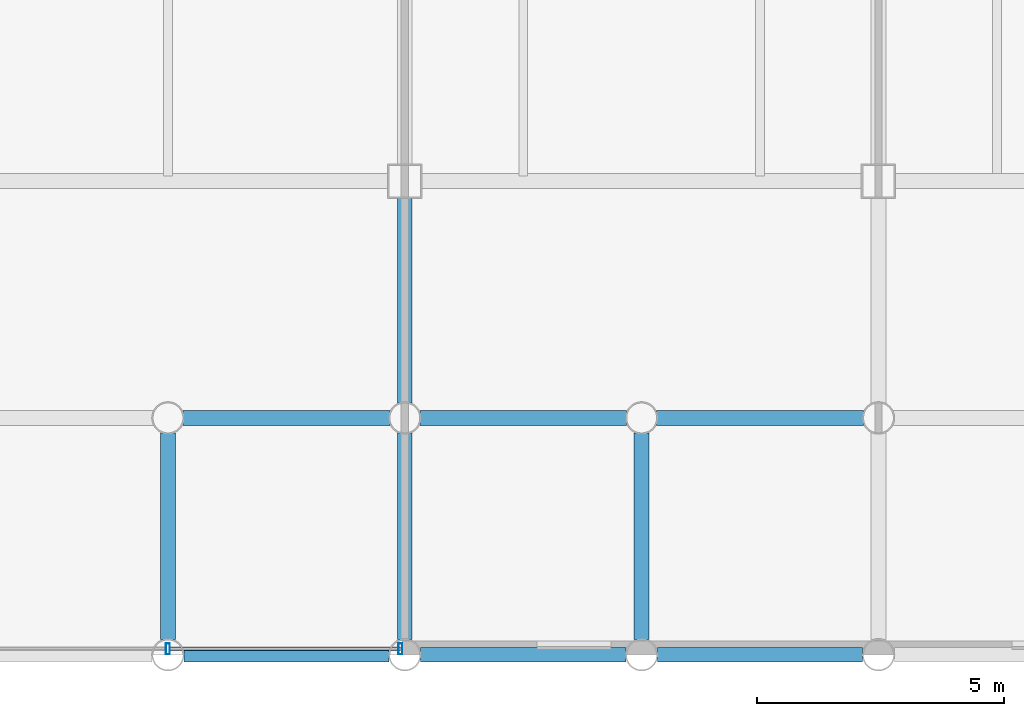
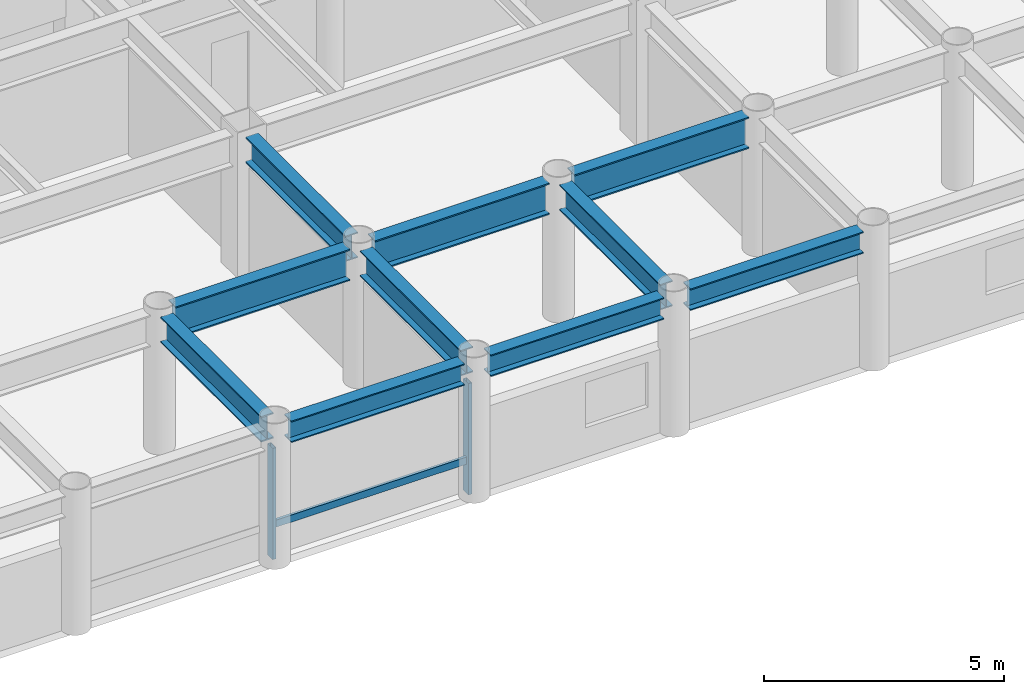
# One storey, part 6 of 19: 10 beams, 3 members, 1 element without a shape of its own.
"""IFC4 building model written with IfcOpenShell, lengths in metres."""

from ifc_helpers import new_model, si_unit, direction, frame, origin, origin_2d, place, context, subcontext, project, spatial, hollow_rectangle, i_section, extrude, material, layer, layer_set, material_profile, profile_set, type_object, element, aggregate, save


model = new_model("IFC4")

# Units and contexts
model_context = context("Model", 3, precision=1e-05, world=origin(), true_north=direction((0.0, 1.0)))
body_context = subcontext(model_context, "Body", "Model", "MODEL_VIEW")
ifc_project = project(units=[si_unit("LENGTHUNIT", "METRE"), si_unit("AREAUNIT", "SQUARE_METRE"), si_unit("VOLUMEUNIT", "CUBIC_METRE"), si_unit("PLANEANGLEUNIT", "RADIAN"), si_unit("MASSUNIT", "GRAM", prefix="KILO")], contexts=[model_context])

# Site, building, storey
site_placement = place(None, origin())
site = spatial("IfcSite", under=ifc_project, at=site_placement, CompositionType="ELEMENT")
building_placement = place(site_placement, origin())
building = spatial("IfcBuilding", under=site, at=building_placement, Name="Kallvorn Hotel Tower", CompositionType="ELEMENT")
storey_placement = place(building_placement, frame((0.0, 0.0, 169.199951171875)))
storey = spatial("IfcBuildingStorey", under=building, at=storey_placement, Name="L42", CompositionType="ELEMENT", Elevation=169.199951171875)

# Beams
ifc_material_1 = material(Name="Structural steel S355JR", Category="steel")
ifc_material_profile_1 = material_profile(ifc_material_1, i_section(OverallWidth=0.300048828125, OverallDepth=0.550048828125, WebThickness=0.014892578125, FlangeThickness=0.029052734375, at=origin_2d()), Name="HE 550 B")
ifc_profile_set_1 = profile_set([ifc_material_profile_1], Name="Structural steel S355JR")
beam_type_1 = type_object("IfcBeamType", Name="BM_HE550B", PredefinedType="SPANDREL", material=ifc_profile_set_1)
for number, where, z_axis, x_axis, name in (
    (1, (0.320068359375, -24.0, 3.2451171875), (1.0, 0.0, 0.0), (0.0, 1.0, 0.0), "L43 Perimeter Spandrel 157"),
    (2, (5.1201171875, -24.0, 3.2451171875), (1.0, 0.0, 0.0), (0.0, 1.0, 0.0), "L43 Perimeter Spandrel 158"),
):
    element("IfcBeam", number, at=place(storey_placement, frame(where, z_axis=z_axis, x_axis=x_axis)), inside=storey, type_object=beam_type_1, Name=name, PredefinedType="SPANDREL", context=body_context, shape_type="SweptSolid", body=[
        extrude(i_section(OverallWidth=0.300048828125, OverallDepth=0.550048828125, WebThickness=0.014892578125, FlangeThickness=0.029052734375, at=origin_2d()), origin(), (0.0, 0.0, 1.0), 4.159912109375),
    ])
beam_1_placement = place(storey_placement, frame((9.919921875, -24.0, 3.2451171875), z_axis=(1.0, 0.0, 0.0), x_axis=(0.0, 1.0, 0.0)))
element("IfcBeam", 3, at=beam_1_placement, inside=storey, type_object=beam_type_1, Name="L43 Perimeter Spandrel 159", PredefinedType="SPANDREL", context=body_context, shape_type="SweptSolid", body=[
    extrude(i_section(OverallWidth=0.300048828125, OverallDepth=0.550048828125, WebThickness=0.014892578125, FlangeThickness=0.029052734375, at=origin_2d()), origin(), (0.0, 0.0, 1.0), 4.16015625),
])
ifc_material_2 = material(Name="Structural steel S355JR", Category="steel")
ifc_material_profile_2 = material_profile(ifc_material_2, i_section(OverallWidth=0.300048828125, OverallDepth=0.64990234375, WebThickness=0.01611328125, FlangeThickness=0.031005859375, at=origin_2d()), Name="HE 650 B")
ifc_profile_set_2 = profile_set([ifc_material_profile_2], Name="Structural steel S355JR")
beam_type_2 = type_object("IfcBeamType", Name="BM_HE650B", PredefinedType="BEAM", material=ifc_profile_set_2)
for number, where, z_axis, x_axis, name in (
    (4, (0.0, -23.695068359375, 3.195068359375), (0.0, 1.0, 0.0), (-1.0, 0.0, 0.0), "L43 Primary Y-Girder 111"),
    (5, (4.800048828125, -23.695068359375, 3.195068359375), (0.0, 1.0, 0.0), (-1.0, 0.0, 0.0), "L43 Primary Y-Girder 114"),
):
    element("IfcBeam", number, at=place(storey_placement, frame(where, z_axis=z_axis, x_axis=x_axis)), inside=storey, type_object=beam_type_2, Name=name, PredefinedType="BEAM", context=body_context, shape_type="SweptSolid", body=[
        extrude(i_section(OverallWidth=0.300048828125, OverallDepth=0.64990234375, WebThickness=0.01611328125, FlangeThickness=0.031005859375, at=origin_2d()), origin(), (0.0, 0.0, 1.0), 4.190185546875),
    ])
beam_2_placement = place(storey_placement, frame((4.800048828125, -18.89501953125, 3.195068359375), z_axis=(0.0, 1.0, 0.0), x_axis=(-1.0, 0.0, 0.0)))
element("IfcBeam", 6, at=beam_2_placement, inside=storey, type_object=beam_type_2, Name="L43 Primary Y-Girder 115", PredefinedType="BEAM", context=body_context, shape_type="SweptSolid", body=[
    extrude(i_section(OverallWidth=0.300048828125, OverallDepth=0.64990234375, WebThickness=0.01611328125, FlangeThickness=0.031005859375, at=origin_2d()), origin(), (0.0, 0.0, 1.0), 4.169921875),
])
beam_3_placement = place(storey_placement, frame((9.60009765625, -23.695068359375, 3.195068359375), z_axis=(0.0, 1.0, 0.0), x_axis=(-1.0, 0.0, 0.0)))
element("IfcBeam", 7, at=beam_3_placement, inside=storey, type_object=beam_type_2, Name="L43 Primary Y-Girder 119", PredefinedType="BEAM", context=body_context, shape_type="SweptSolid", body=[
    extrude(i_section(OverallWidth=0.300048828125, OverallDepth=0.64990234375, WebThickness=0.01611328125, FlangeThickness=0.031005859375, at=origin_2d()), origin(), (0.0, 0.0, 1.0), 4.190185546875),
])
ifc_material_3 = material(Name="Structural steel S355JR", Category="steel")
ifc_material_profile_3 = material_profile(ifc_material_3, i_section(OverallWidth=0.300048828125, OverallDepth=0.800048828125, WebThickness=0.017578125, FlangeThickness=0.032958984375, at=origin_2d()), Name="HE 800 B")
ifc_profile_set_3 = profile_set([ifc_material_profile_3], Name="Structural steel S355JR")
beam_type_3 = type_object("IfcBeamType", Name="BM_HE800B", PredefinedType="BEAM", material=ifc_profile_set_3)
beam_4_placement = place(storey_placement, frame((0.304931640625, -19.199951171875, 3.1201171875), z_axis=(1.0, 0.0, 0.0), x_axis=(0.0, 1.0, 0.0)))
element("IfcBeam", 8, at=beam_4_placement, inside=storey, type_object=beam_type_3, Name="L43 Primary X-Girder 08", PredefinedType="BEAM", context=body_context, shape_type="SweptSolid", body=[
    extrude(i_section(OverallWidth=0.300048828125, OverallDepth=0.800048828125, WebThickness=0.017578125, FlangeThickness=0.032958984375, at=origin_2d()), origin(), (0.0, 0.0, 1.0), 4.190185546875),
])
for number, where, z_axis, x_axis, name in (
    (9, (5.10498046875, -19.199951171875, 3.1201171875), (1.0, 0.0, 0.0), (0.0, 1.0, 0.0), "L43 Primary X-Girder 09"),
    (10, (9.905029296875, -19.199951171875, 3.1201171875), (1.0, 0.0, 0.0), (0.0, 1.0, 0.0), "L43 Primary X-Girder 10"),
):
    element("IfcBeam", number, at=place(storey_placement, frame(where, z_axis=z_axis, x_axis=x_axis)), inside=storey, type_object=beam_type_3, Name=name, PredefinedType="BEAM", context=body_context, shape_type="SweptSolid", body=[
        extrude(i_section(OverallWidth=0.300048828125, OverallDepth=0.800048828125, WebThickness=0.017578125, FlangeThickness=0.032958984375, at=origin_2d()), origin(), (0.0, 0.0, 1.0), 4.18994140625),
    ])

# Curtain wall, members
ifc_material_4 = material(Name="Thermally broken black-anodised aluminium AA 6063-T6", Category="aluminium")
ifc_layer = layer(ifc_material_4, 0.2099609375)
ifc_layer_set = layer_set([ifc_layer], Name="CW_SYS_4_HOTEL_MID")
curtain_wall_type = type_object("IfcCurtainWallType", Name="CW_SYS_4_HOTEL_MID", PredefinedType="USERDEFINED", material=ifc_layer_set)
curtain_wall_placement = place(storey_placement, origin())
curtain_wall = element("IfcCurtainWall", 11, at=curtain_wall_placement, inside=storey, type_object=curtain_wall_type, Name="L42 Dark-Glass Curtain Wall CW-L42-SC", ObjectType="UNITISED CURTAIN WALL", PredefinedType="USERDEFINED")
ifc_material_5 = material(Name="Thermally broken black-anodised aluminium AA 6063-T6", Category="aluminium")
ifc_material_profile_4 = material_profile(ifc_material_5, hollow_rectangle(XDim=0.080078125, YDim=0.219970703125, WallThickness=0.0048828125, at=origin_2d()), Name="MUL 220x80")
ifc_profile_set_4 = profile_set([ifc_material_profile_4], Name="Thermally broken black-anodised aluminium AA 6063-T6")
member_type_1 = type_object("IfcMemberType", Name="CW_MULLION_220x80", PredefinedType="MULLION", material=ifc_profile_set_4)
member_1_placement = place(storey_placement, frame((0.0, -23.8798828125, 0.02001953125), z_axis=(0.0, 0.0, 1.0), x_axis=(1.0, 0.0, 0.0)))
member_1 = element("IfcMember", 12, at=member_1_placement, type_object=member_type_1, Name="CW-L42-SC Mullion 01", PredefinedType="MULLION", context=body_context, shape_type="SweptSolid", body=[
    extrude(hollow_rectangle(XDim=0.080078125, YDim=0.219970703125, WallThickness=0.0048828125, at=origin_2d()), origin(), (0.0, 0.0, 1.0), 2.830078125),
])
member_2_placement = place(storey_placement, frame((4.7099609375, -23.8798828125, 0.02001953125), z_axis=(0.0, 0.0, 1.0), x_axis=(1.0, 0.0, 0.0)))
member_2 = element("IfcMember", 13, at=member_2_placement, type_object=member_type_1, Name="CW-L42-SC Mullion 02", PredefinedType="MULLION", context=body_context, shape_type="SweptSolid", body=[
    extrude(hollow_rectangle(XDim=0.080078125, YDim=0.219970703125, WallThickness=0.0048828125, at=origin_2d()), origin(), (0.0, 0.0, 1.0), 2.830078125),
])
ifc_material_6 = material(Name="Thermally broken black-anodised aluminium AA 6063-T6", Category="aluminium")
ifc_material_profile_5 = material_profile(ifc_material_6, hollow_rectangle(XDim=0.070068359375, YDim=0.179931640625, WallThickness=0.00390625, at=origin_2d()), Name="TRN 180x70")
ifc_profile_set_5 = profile_set([ifc_material_profile_5], Name="Thermally broken black-anodised aluminium AA 6063-T6")
member_type_2 = type_object("IfcMemberType", Name="CW_TRANSOM_180x70", PredefinedType="USERDEFINED", material=ifc_profile_set_5)
member_3_placement = place(storey_placement, frame((0.0400390625, -23.8798828125, 0.85009765625), z_axis=(1.0, 0.0, 0.0), x_axis=(0.0, 1.0, 0.0)))
member_3 = element("IfcMember", 14, at=member_3_placement, type_object=member_type_2, Name="CW-L42-SC Transom 01M", ObjectType="TRANSOM", PredefinedType="USERDEFINED", context=body_context, shape_type="SweptSolid", body=[
    extrude(hollow_rectangle(XDim=0.070068359375, YDim=0.179931640625, WallThickness=0.00390625, at=origin_2d()), origin(), (0.0, 0.0, 1.0), 4.669921875),
])
aggregate(curtain_wall, [member_1, member_2, member_3])

save(model, "model.ifc")
